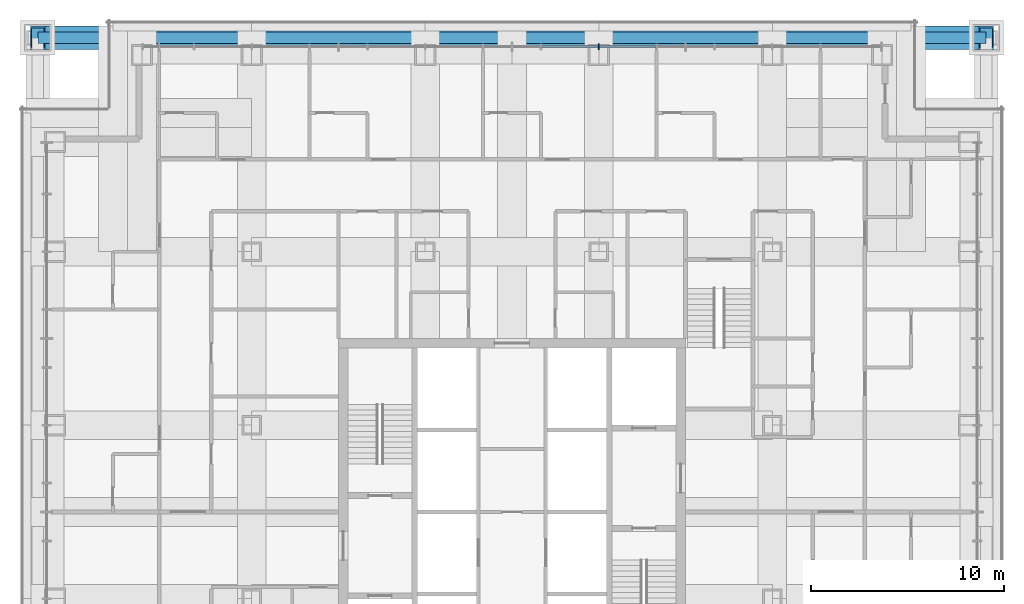
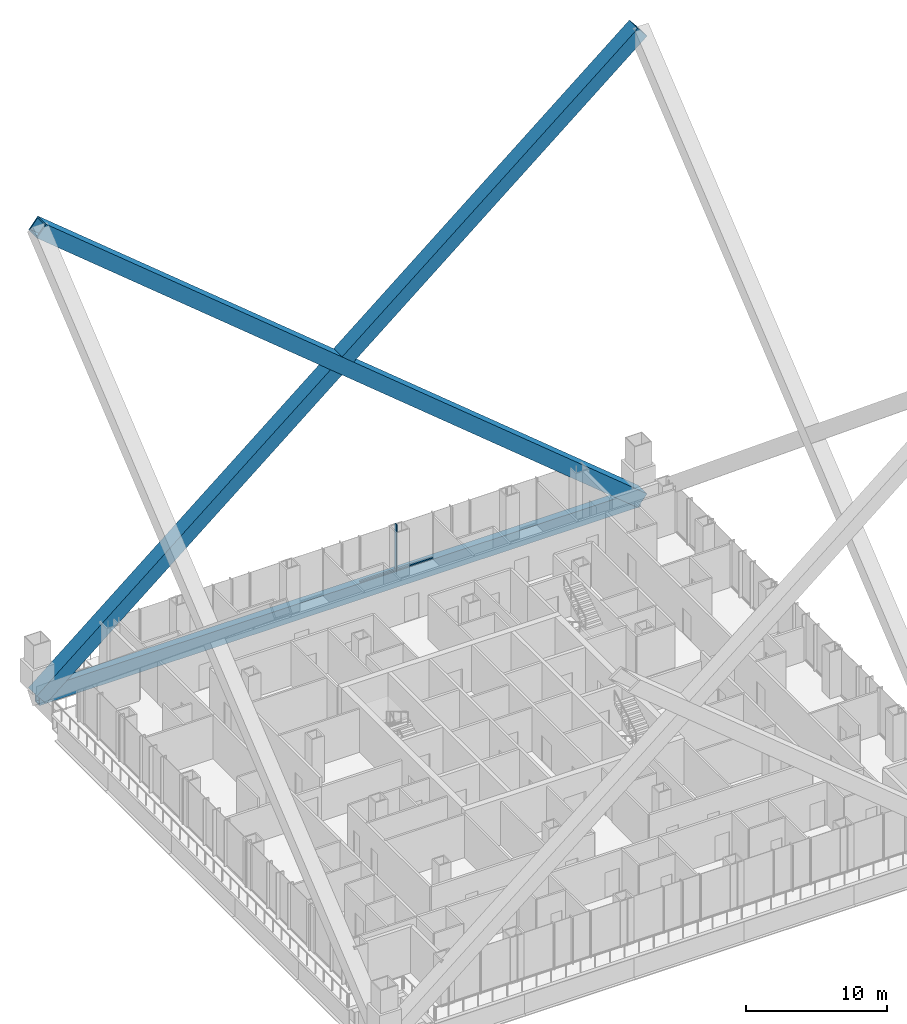
# One storey, part 10 of 20: 6 members, 1 element without a shape of its own.
"""IFC4 building model written with IfcOpenShell, lengths in metres."""

from ifc_helpers import new_model, si_unit, direction, frame, origin, origin_2d, place, context, subcontext, project, spatial, rectangle, hollow_rectangle, extrude, material, layer, layer_set, material_profile, profile_set, type_object, element, aggregate, save


model = new_model("IFC4")

# Units and contexts
model_context = context("Model", 3, precision=1e-05, world=origin(), true_north=direction((0.0, 1.0)))
body_context = subcontext(model_context, "Body", "Model", "MODEL_VIEW")
ifc_project = project(units=[si_unit("LENGTHUNIT", "METRE"), si_unit("AREAUNIT", "SQUARE_METRE"), si_unit("VOLUMEUNIT", "CUBIC_METRE"), si_unit("PLANEANGLEUNIT", "RADIAN"), si_unit("MASSUNIT", "GRAM", prefix="KILO")], contexts=[model_context])

# Site, building, storey
site_placement = place(None, origin())
site = spatial("IfcSite", under=ifc_project, at=site_placement, CompositionType="ELEMENT")
building_placement = place(site_placement, origin())
building = spatial("IfcBuilding", under=site, at=building_placement, Name="Malebo Sky Hospital", CompositionType="ELEMENT")
storey_placement = place(building_placement, frame((0.0, 0.0, 100.0)))
storey = spatial("IfcBuildingStorey", under=building, at=storey_placement, Name="L23", CompositionType="ELEMENT", Elevation=100.0)

# Curtain wall, members
ifc_material_1 = material(Name="Anodised aluminium, natural silver", Category="aluminium")
ifc_layer = layer(ifc_material_1, 0.25)
ifc_layer_set = layer_set([ifc_layer], Name="WARD CURTAIN WALL NORTH AND SOUTH")
curtain_wall_type = type_object("IfcCurtainWallType", Name="WARD CURTAIN WALL NORTH AND SOUTH", PredefinedType="NOTDEFINED", material=ifc_layer_set)
curtain_wall_placement = place(storey_placement, origin())
curtain_wall = element("IfcCurtainWall", 1, at=curtain_wall_placement, inside=storey, type_object=curtain_wall_type, Name="NS curtain wall N", PredefinedType="NOTDEFINED")
ifc_material_profile_1 = material_profile(ifc_material_1, rectangle(XDim=0.14990234375, YDim=0.10009765625, at=origin_2d()), Name="ALUMINIUM TRANSOM 150x100")
ifc_profile_set_1 = profile_set([ifc_material_profile_1], Name="Anodised aluminium, natural silver")
member_type_1 = type_object("IfcMemberType", Name="ALUMINIUM TRANSOM 150x100", PredefinedType="USERDEFINED", material=ifc_profile_set_1)
member_1_placement = place(storey_placement, frame((61.53759765625, 86.135009765625, 0.050048828125), z_axis=(1.0, 0.0, 0.0), x_axis=(0.0, 1.0, 0.0)))
member_1 = element("IfcMember", 2, at=member_1_placement, type_object=member_type_1, Name="Transom 11", ObjectType="TRANSOM", PredefinedType="USERDEFINED", context=body_context, shape_type="SweptSolid", body=[
    extrude(rectangle(XDim=0.14990234375, YDim=0.10009765625, at=origin_2d()), origin(), (0.0, 0.0, 1.0), 2.9248046875),
])
member_2_placement = place(storey_placement, frame((64.53759765625, 86.135009765625, 0.050048828125), z_axis=(1.0, 0.0, 0.0), x_axis=(0.0, 1.0, 0.0)))
member_2 = element("IfcMember", 3, at=member_2_placement, type_object=member_type_1, Name="Transom 12", ObjectType="TRANSOM", PredefinedType="USERDEFINED", context=body_context, shape_type="SweptSolid", body=[
    extrude(rectangle(XDim=0.14990234375, YDim=0.10009765625, at=origin_2d()), origin(), (0.0, 0.0, 1.0), 2.9248046875),
])
ifc_material_profile_2 = material_profile(ifc_material_1, rectangle(XDim=0.074951171875, YDim=0.300048828125, at=origin_2d()), Name="CW1 ALUMINIUM FIN MULLION 75x300")
ifc_profile_set_2 = profile_set([ifc_material_profile_2], Name="Anodised aluminium, natural silver")
member_type_2 = type_object("IfcMemberType", Name="CW1 ALUMINIUM FIN MULLION 75x300", PredefinedType="MULLION", material=ifc_profile_set_2)
member_3_placement = place(storey_placement, frame((64.5, 86.135009765625, 0.0), z_axis=(0.0, 0.0, 1.0), x_axis=(1.0, 0.0, 0.0)))
member_3 = element("IfcMember", 4, at=member_3_placement, type_object=member_type_2, Name="Fin mullion 12", PredefinedType="MULLION", context=body_context, shape_type="SweptSolid", body=[
    extrude(rectangle(XDim=0.074951171875, YDim=0.300048828125, at=origin_2d()), origin(), (0.0, 0.0, 1.0), 4.0),
])
aggregate(curtain_wall, [member_3, member_1, member_2])

# Members
ifc_material_2 = material(Name="Steel S460", Category="steel")
ifc_material_profile_3 = material_profile(ifc_material_2, hollow_rectangle(XDim=1.199951171875, YDim=1.199951171875, WallThickness=0.10009765625, at=origin_2d()), Name="BOX 1200x1200x100")
ifc_profile_set_3 = profile_set([ifc_material_profile_3], Name="Steel S460")
member_type_3 = type_object("IfcMemberType", Name="MEGA BRACE BOX 1200x1200x100", PredefinedType="BRACE", material=ifc_profile_set_3)
for number, where, z_axis, x_axis, name in (
    (5, (84.60009765625, 86.60009765625, -0.949951171875), (-0.771682026821, 0.0, 0.63600852941), (0.0, -1.0, 0.0), "Mega brace B1N1 L23-L33"),
    (6, (35.39990234375, 86.60009765625, -0.949951171875), (0.771682026821, 0.0, 0.63600852941), (0.0, 1.0, 0.0), "Mega brace B1N2 L23-L33"),
):
    element("IfcMember", number, at=place(storey_placement, frame(where, z_axis=z_axis, x_axis=x_axis)), inside=storey, type_object=member_type_3, Name=name, PredefinedType="BRACE", context=body_context, shape_type="SweptSolid", body=[
        extrude(hollow_rectangle(XDim=1.199951171875, YDim=1.199951171875, WallThickness=0.10009765625, at=origin_2d()), origin(), (0.0, 0.0, 1.0), 63.757080078125),
    ])
ifc_material_profile_4 = material_profile(ifc_material_2, hollow_rectangle(XDim=0.60009765625, YDim=1.39990234375, WallThickness=0.10009765625, at=origin_2d()), Name="BOX 1400x600x100")
ifc_profile_set_4 = profile_set([ifc_material_profile_4], Name="Steel S460")
member_type_4 = type_object("IfcMemberType", Name="MEGA TIE BOX 1400x600x100", PredefinedType="CHORD", material=ifc_profile_set_4)
member_4_placement = place(storey_placement, frame((84.60009765625, 86.60009765625, -0.949951171875), z_axis=(-1.0, 0.0, 0.0), x_axis=(0.0, -1.0, 0.0)))
element("IfcMember", 7, at=member_4_placement, inside=storey, type_object=member_type_4, Name="Mega tie BN L23", PredefinedType="CHORD", context=body_context, shape_type="SweptSolid", body=[
    extrude(hollow_rectangle(XDim=0.60009765625, YDim=1.39990234375, WallThickness=0.10009765625, at=origin_2d()), origin(), (0.0, 0.0, 1.0), 49.2001953125),
])

save(model, "model.ifc")
